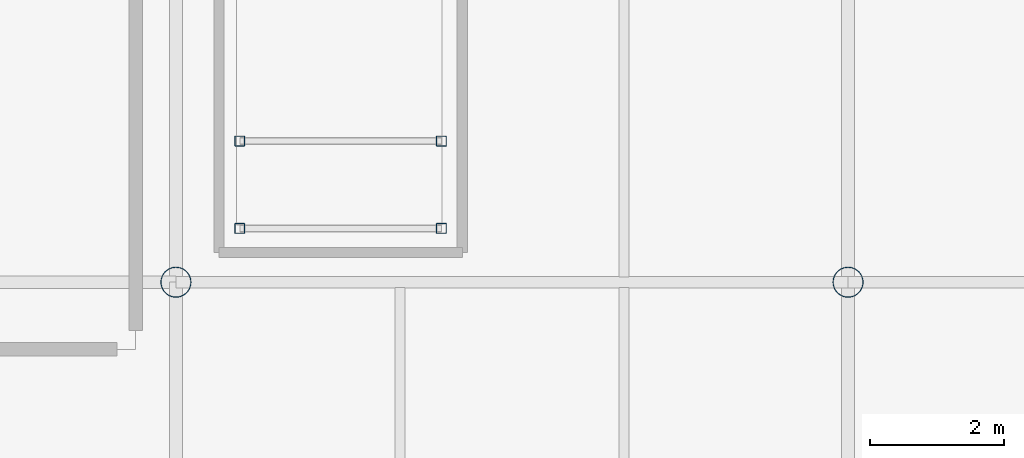
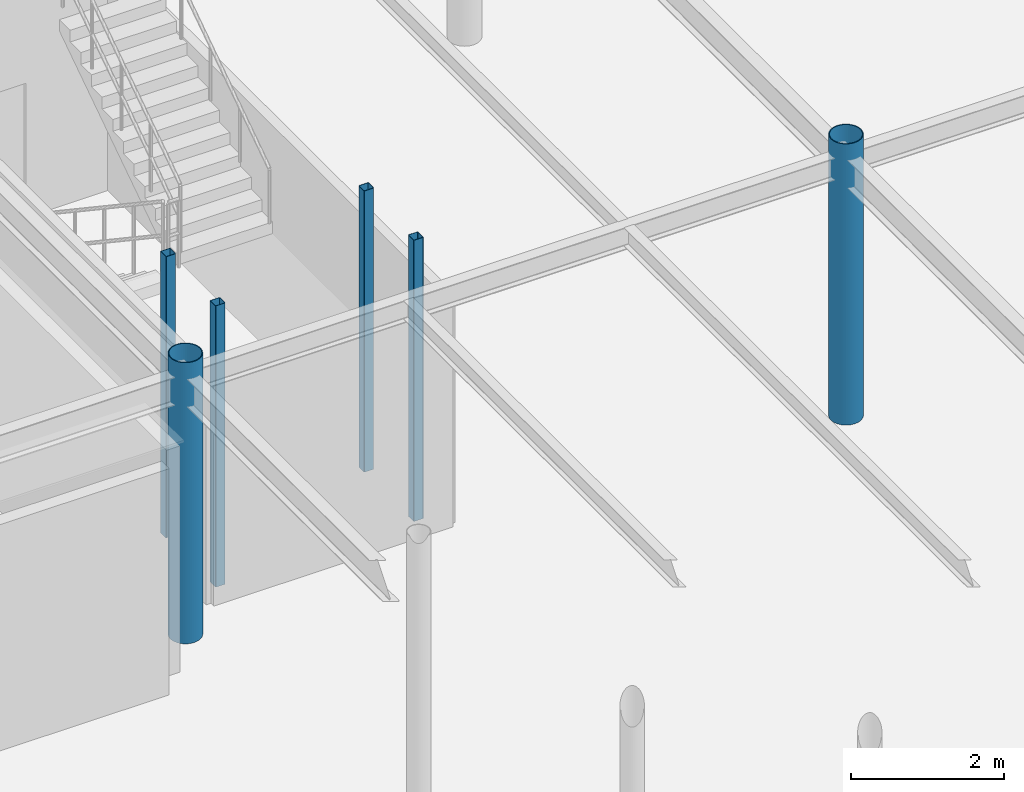
# One storey, part 8 of 119: 6 columns.
"""IFC4 building model written with IfcOpenShell, lengths in metres."""

from ifc_helpers import new_model, si_unit, derived_unit, direction, frame, origin, origin_2d_with_axis, place, context, subcontext, project, spatial, hollow_rectangle, hollow_circle, extrude, material, material_profile, profile_set, type_object, element, save


model = new_model("IFC4")

# Units and contexts
model_context = context("Model", 3, precision=1e-05, world=origin(), true_north=direction((0.0, 1.0)))
body_context = subcontext(model_context, "Body", "Model", "MODEL_VIEW")
ifc_project = project(units=[si_unit("LENGTHUNIT", "METRE"), si_unit("AREAUNIT", "SQUARE_METRE"), si_unit("VOLUMEUNIT", "CUBIC_METRE"), si_unit("PLANEANGLEUNIT", "RADIAN"), si_unit("MASSUNIT", "GRAM", prefix="KILO"), derived_unit("THERMALTRANSMITTANCEUNIT", [(si_unit("POWERUNIT", "WATT"), 1), (si_unit("LENGTHUNIT", "METRE"), -2), (si_unit("THERMODYNAMICTEMPERATUREUNIT", "KELVIN"), -1)])], contexts=[model_context])

# Site, building, storey
site_placement = place(None, origin())
site = spatial("IfcSite", under=ifc_project, at=site_placement, CompositionType="ELEMENT")
building_placement = place(site_placement, origin())
building = spatial("IfcBuilding", under=site, at=building_placement, Name="Cinnabar Yard Market Hall", CompositionType="ELEMENT")
storey_placement = place(building_placement, origin())
storey = spatial("IfcBuildingStorey", under=building, at=storey_placement, Name="L00", CompositionType="ELEMENT", Elevation=0.0)

# Columns
ifc_material_1 = material(Name="Spotted-gum glulam-clad steel Grade 350 (350 MPa)", Category="steel")
ifc_material_profile_1 = material_profile(ifc_material_1, hollow_circle(Radius=0.228515625, WallThickness=0.0126953125, at=origin_2d_with_axis()), Name="457.0x12.7CHS")
ifc_profile_set_1 = profile_set([ifc_material_profile_1], Name="Spotted-gum glulam-clad steel Grade 350 (350 MPa)")
column_type_1 = type_object("IfcColumnType", Name="COL-C01", PredefinedType="COLUMN", material=ifc_profile_set_1)
for number, where, z_axis, x_axis, name in (
    (1, (76.0, 34.0, 0.0), (0.0, 0.0, 1.0), (1.0, 0.0, 0.0), "Tree Column V1I-01-02 L00"),
    (2, (86.0, 34.0, 0.0), (0.0, 0.0, 1.0), (1.0, 0.0, 0.0), "Tree Column V1I-02-02 L00"),
):
    element("IfcColumn", number, at=place(storey_placement, frame(where, z_axis=z_axis, x_axis=x_axis)), inside=storey, type_object=column_type_1, Name=name, PredefinedType="COLUMN", context=body_context, shape_type="SweptSolid", body=[
        extrude(hollow_circle(Radius=0.228515625, WallThickness=0.0126953125, at=origin_2d_with_axis()), origin(), (0.0, 0.0, 1.0), 4.5),
    ])
ifc_material_2 = material(Name="Cold-formed steel C350L0", Category="steel")
ifc_material_profile_2 = material_profile(ifc_material_2, hollow_rectangle(XDim=0.14990234375, YDim=0.14990234375, WallThickness=0.006103515625, InnerFilletRadius=0.006103515625, OuterFilletRadius=0.011962890625, at=origin_2d_with_axis()), Name="150x150x6.0SHS")
ifc_profile_set_2 = profile_set([ifc_material_profile_2], Name="Cold-formed steel C350L0")
column_type_2 = type_object("IfcColumnType", Name="COL-C16", PredefinedType="COLUMN", material=ifc_profile_set_2)
for number, where, z_axis, x_axis, name in (
    (3, (76.949951171875, 34.800048828125, 0.0), (0.0, 0.0, 1.0), (1.0, 0.0, 0.0), "Feature Stair Post ST-F1-1 L00"),
    (4, (79.949951171875, 34.800048828125, 0.0), (0.0, 0.0, 1.0), (1.0, 0.0, 0.0), "Feature Stair Post ST-F1-2 L00"),
    (5, (76.949951171875, 36.10009765625, 0.0), (0.0, 0.0, 1.0), (1.0, 0.0, 0.0), "Feature Stair Post ST-F1-3 L00"),
    (6, (79.949951171875, 36.10009765625, 0.0), (0.0, 0.0, 1.0), (1.0, 0.0, 0.0), "Feature Stair Post ST-F1-4 L00"),
):
    element("IfcColumn", number, at=place(storey_placement, frame(where, z_axis=z_axis, x_axis=x_axis)), inside=storey, type_object=column_type_2, Name=name, PredefinedType="COLUMN", context=body_context, shape_type="SweptSolid", body=[
        extrude(hollow_rectangle(XDim=0.14990234375, YDim=0.14990234375, WallThickness=0.006103515625, InnerFilletRadius=0.006103515625, OuterFilletRadius=0.011962890625, at=origin_2d_with_axis()), origin(), (0.0, 0.0, 1.0), 4.5),
    ])

save(model, "model.ifc")
